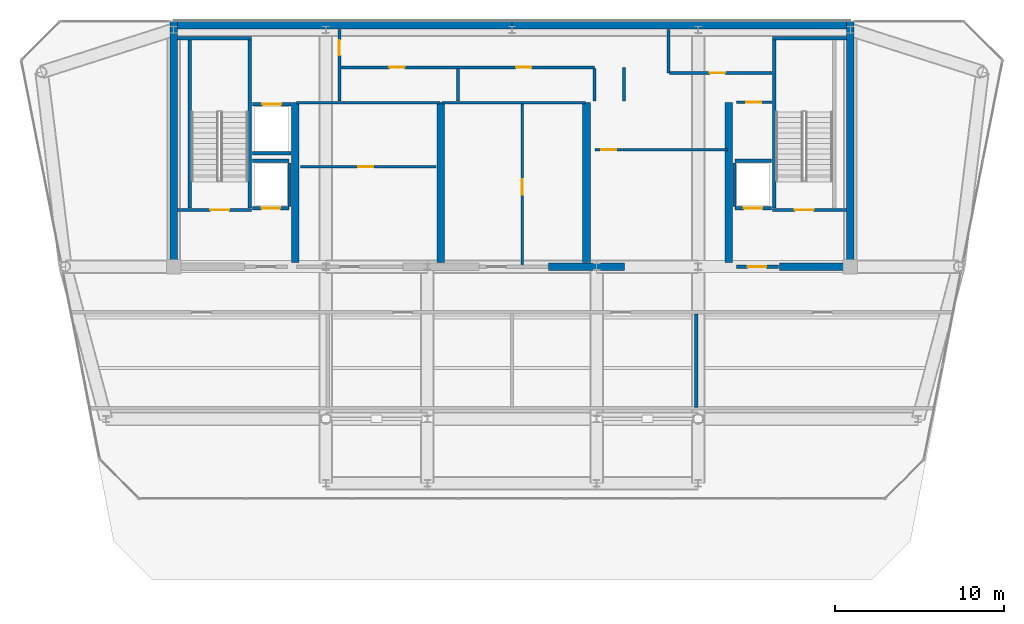
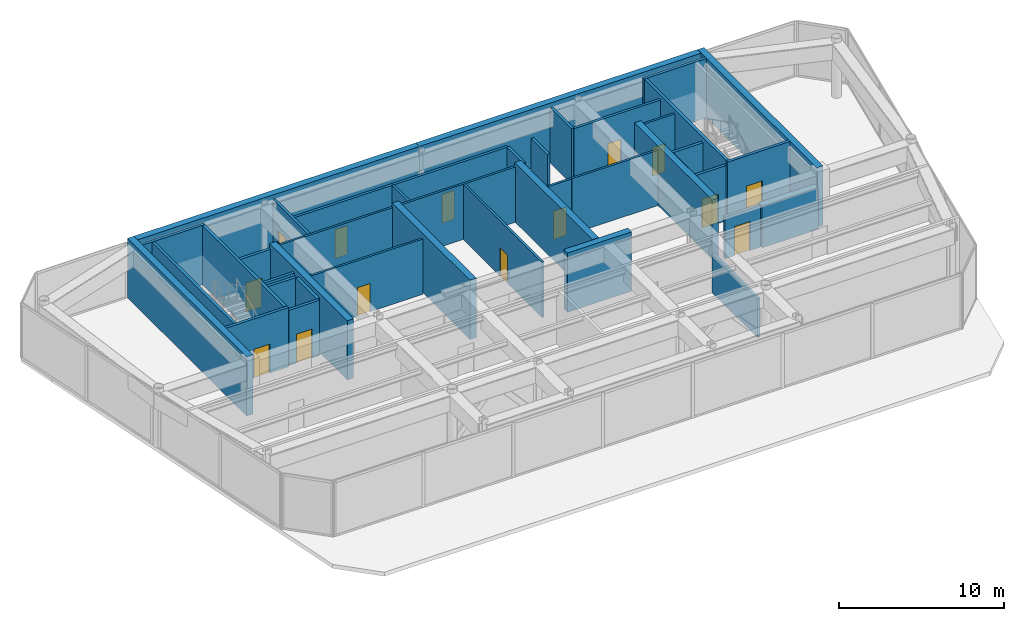
# One storey, part 8 of 12: 41 walls, 14 doors, 14 openings.
"""IFC4 building model written with IfcOpenShell, lengths in metres."""

from ifc_helpers import new_model, si_unit, direction, frame, frame_2d, origin, place, context, subcontext, project, spatial, rectangle, extrude, source, transform, mapped, material, layer, layer_set, type_object, element, fill, save


model = new_model("IFC4")

# Units and contexts
model_context = context("Model", 3, precision=1e-05, world=origin(), true_north=direction((0.0, 1.0)))
body_context = subcontext(model_context, "Body", "Model", "MODEL_VIEW")
ifc_project = project(units=[si_unit("LENGTHUNIT", "METRE"), si_unit("AREAUNIT", "SQUARE_METRE"), si_unit("VOLUMEUNIT", "CUBIC_METRE"), si_unit("PLANEANGLEUNIT", "RADIAN"), si_unit("MASSUNIT", "GRAM", prefix="KILO")], contexts=[model_context])

# Site, building, storey
site_placement = place(None, origin())
site = spatial("IfcSite", under=ifc_project, at=site_placement, CompositionType="ELEMENT")
building_placement = place(site_placement, origin())
building = spatial("IfcBuilding", under=site, at=building_placement, Name="Vaeldorn Concourse Tower", CompositionType="ELEMENT")
storey_placement = place(building_placement, frame((0.0, 0.0, 308.39990234375)))
storey = spatial("IfcBuildingStorey", under=building, at=storey_placement, Name="L79", CompositionType="ELEMENT", Elevation=308.39990234375)

# Walls
ifc_material_1 = material(Name="Concrete C50/60", Category="concrete")
ifc_layer_1 = layer(ifc_material_1, 0.449951171875)
ifc_layer_set_1 = layer_set([ifc_layer_1], Name="Concrete C50/60")
wall_type_1 = type_object("IfcWallType", Name="WL-CORE-450", PredefinedType="SHEAR", material=ifc_layer_set_1)
for number, where, z_axis, x_axis, name in (
    (1, (14.22900390625, 50.77490234375, 0.0), (0.0, 0.0, 1.0), (1.0, 0.0, 0.0), "Rear Core Shear Wall L79 N1"),
    (2, (34.001953125, 50.77490234375, 0.0), (0.0, 0.0, 1.0), (1.0, 0.0, 0.0), "Rear Core Shear Wall L79 N2"),
):
    element("IfcWall", number, at=place(storey_placement, frame(where, z_axis=z_axis, x_axis=x_axis)), inside=storey, type_object=wall_type_1, Name=name, PredefinedType="SHEAR", context=body_context, shape_type="SweptSolid", body=[
        extrude(rectangle(XDim=19.76904296875, YDim=0.449951171875, at=frame_2d((9.884521484375, 0.0))), origin(), (0.0, 0.0, 1.0), 4.400146484375),
    ])
for number, where, z_axis, x_axis, name in (
    (3, (14.0, 36.5, 0.0), (0.0, 0.0, 1.0), (0.0, 1.0, 0.0), "Rear Core Shear Wall L79 W1"),
    (4, (54.0, 36.5, 0.0), (0.0, 0.0, 1.0), (0.0, 1.0, 0.0), "Rear Core Shear Wall L79 E1"),
):
    element("IfcWall", number, at=place(storey_placement, frame(where, z_axis=z_axis, x_axis=x_axis)), inside=storey, type_object=wall_type_1, Name=name, PredefinedType="SHEAR", context=body_context, shape_type="SweptSolid", body=[
        extrude(rectangle(XDim=14.5, YDim=0.449951171875, at=frame_2d((7.25, 0.0))), origin(), (0.0, 0.0, 1.0), 4.400146484375),
    ])
wall_1_placement = place(storey_placement, frame((36.14990234375, 36.5, 0.0), z_axis=(0.0, 0.0, 1.0), x_axis=(1.0, 0.0, 0.0)))
element("IfcWall", 5, at=wall_1_placement, inside=storey, type_object=wall_type_1, Name="Rear Core Shear Wall L79 S3", PredefinedType="SHEAR", context=body_context, shape_type="SweptSolid", body=[
    extrude(rectangle(XDim=4.5, YDim=0.449951171875, at=frame_2d((2.25, 0.0))), origin(), (0.0, 0.0, 1.0), 4.400146484375),
])
wall_2_placement = place(storey_placement, frame((49.800048828125, 36.5, 0.0), z_axis=(0.0, 0.0, 1.0), x_axis=(1.0, 0.0, 0.0)))
element("IfcWall", 6, at=wall_2_placement, inside=storey, type_object=wall_type_1, Name="Rear Core Shear Wall L79 S4", PredefinedType="SHEAR", context=body_context, shape_type="SweptSolid", body=[
    extrude(rectangle(XDim=3.954833984375, YDim=0.449951171875, at=frame_2d((1.9775390625, 0.0))), origin(), (0.0, 0.0, 1.0), 3.10009765625),
])
for number, where, z_axis, x_axis, name in (
    (7, (21.199951171875, 36.7451171875, 0.0), (0.0, 0.0, 1.0), (0.0, 1.0, 0.0), "Rear Core Shear Wall L79 M1"),
    (8, (29.800048828125, 36.7451171875, 0.0), (0.0, 0.0, 1.0), (0.0, 1.0, 0.0), "Rear Core Shear Wall L79 M2"),
    (9, (38.39990234375, 36.7451171875, 0.0), (0.0, 0.0, 1.0), (0.0, 1.0, 0.0), "Rear Core Shear Wall L79 M3"),
    (10, (46.800048828125, 36.7451171875, 0.0), (0.0, 0.0, 1.0), (0.0, 1.0, 0.0), "Rear Core Shear Wall L79 M4"),
):
    element("IfcWall", number, at=place(storey_placement, frame(where, z_axis=z_axis, x_axis=x_axis)), inside=storey, type_object=wall_type_1, Name=name, PredefinedType="SHEAR", context=body_context, shape_type="SweptSolid", body=[
        extrude(rectangle(XDim=9.454833984375, YDim=0.449951171875, at=frame_2d((4.7275390625, 0.0))), origin(), (0.0, 0.0, 1.0), 4.400146484375),
    ])
ifc_material_2 = material(Name="Gypsum Board Partition", Category="gypsum")
ifc_layer_2 = layer(ifc_material_2, 0.14990234375)
ifc_layer_set_2 = layer_set([ifc_layer_2], Name="Gypsum Board Partition")
wall_type_2 = type_object("IfcWallType", Name="WL-PART-150", PredefinedType="PARTITIONING", material=ifc_layer_set_2)
wall_3_placement = place(storey_placement, frame((21.25, 46.199951171875, 0.0), z_axis=(0.0, 0.0, 1.0), x_axis=(1.0, 0.0, 0.0)))
element("IfcWall", 11, at=wall_3_placement, inside=storey, type_object=wall_type_2, Name="Interior Wall CW-L79-R1N", PredefinedType="PARTITIONING", context=body_context, shape_type="SweptSolid", body=[
    extrude(rectangle(XDim=8.5, YDim=0.14990234375, at=frame_2d((4.25, 0.0))), origin(), (0.0, 0.0, 1.0), 4.10009765625),
])

# Wall, opening, door
wall_4_placement = place(storey_placement, frame((21.5, 42.39990234375, 0.0), z_axis=(0.0, 0.0, 1.0), x_axis=(1.0, 0.0, 0.0)))
wall_4 = element("IfcWall", 12, at=wall_4_placement, inside=storey, type_object=wall_type_2, Name="Interior Wall CW-L79-R1M", PredefinedType="PARTITIONING", context=body_context, shape_type="SweptSolid", body=[
    extrude(rectangle(XDim=8.0, YDim=0.14990234375, at=frame_2d((4.0, 0.0))), origin(), (0.0, 0.0, 1.0), 4.10009765625),
])
opening_1_placement = place(wall_4_placement, frame((3.39990234375, 0.0, 0.0)))
opening_1 = element("IfcOpeningElement", 13, at=opening_1_placement, cuts=wall_4, Name="Opening D-02", PredefinedType="OPENING", context=body_context, shape_type="SweptSolid", body=[
    extrude(rectangle(XDim=0.89990234375, YDim=2.10009765625, at=frame_2d((0.449951171875, 1.050048828125))), frame((0.0, 0.0849609375, 0.0), z_axis=(0.0, -1.0, 0.0), x_axis=(1.0, 0.0, 0.0)), (0.0, 0.0, 1.0), 0.169921875),
])
ifc_material_3 = material(Name="Fire-Rated Timber Leaf", Category="wood")
door_type_1 = type_object("IfcDoorType", Name="DR-FD30-900", OperationType="NOTDEFINED", PredefinedType="DOOR", material=ifc_material_3)
shared_shape_1 = source(origin(), body_context, "Body", "SweptSolid", [
    extrude(rectangle(XDim=0.89990234375, YDim=2.10009765625, at=frame_2d((0.449951171875, 1.050048828125))), frame((0.0, 0.02490234375, 0.0), z_axis=(0.0, -1.0, 0.0), x_axis=(1.0, 0.0, 0.0)), (0.0, 0.0, 1.0), 0.050048828125),
])
door_1_placement = place(opening_1_placement, origin())
door_1 = element("IfcDoor", 14, at=door_1_placement, inside=storey, type_object=door_type_1, Name="Interior Door DR-L79-R1M", OperationType="SINGLE_SWING_RIGHT", OverallHeight=2.10009765625, OverallWidth=0.89990234375, PredefinedType="DOOR", context=body_context, shape_type="MappedRepresentation", body=[
    mapped(shared_shape_1, transform((0.0, 0.0, 0.0), scale=1.0)),
])
fill(opening_1, door_1)

# Wall
wall_5_placement = place(storey_placement, frame((29.85009765625, 46.199951171875, 0.0), z_axis=(0.0, 0.0, 1.0), x_axis=(1.0, 0.0, 0.0)))
element("IfcWall", 15, at=wall_5_placement, inside=storey, type_object=wall_type_2, Name="Interior Wall CW-L79-R2N", PredefinedType="PARTITIONING", context=body_context, shape_type="SweptSolid", body=[
    extrude(rectangle(XDim=8.5, YDim=0.14990234375, at=frame_2d((4.25, 0.0))), origin(), (0.0, 0.0, 1.0), 4.10009765625),
])

# Wall, opening, door
wall_6_placement = place(storey_placement, frame((34.60009765625, 36.56005859375, 0.0), z_axis=(0.0, 0.0, 1.0), x_axis=(0.0, 1.0, 0.0)))
wall_6 = element("IfcWall", 16, at=wall_6_placement, inside=storey, type_object=wall_type_2, Name="Interior Wall CW-L79-R2M", PredefinedType="PARTITIONING", context=body_context, shape_type="SweptSolid", body=[
    extrude(rectangle(XDim=9.579833984375, YDim=0.14990234375, at=frame_2d((4.7900390625, 0.0))), origin(), (0.0, 0.0, 1.0), 4.10009765625),
])
opening_2_placement = place(wall_6_placement, frame((4.199951171875, 0.0, 0.0)))
opening_2 = element("IfcOpeningElement", 17, at=opening_2_placement, cuts=wall_6, Name="Opening D-02", PredefinedType="OPENING", context=body_context, shape_type="SweptSolid", body=[
    extrude(rectangle(XDim=0.89990234375, YDim=2.10009765625, at=frame_2d((0.449951171875, 1.050048828125))), frame((0.0, 0.0849609375, 0.0), z_axis=(0.0, -1.0, 0.0), x_axis=(1.0, 0.0, 0.0)), (0.0, 0.0, 1.0), 0.169921875),
])
door_2_placement = place(opening_2_placement, origin())
door_2 = element("IfcDoor", 18, at=door_2_placement, inside=storey, type_object=door_type_1, Name="Interior Door DR-L79-R2E", OperationType="SINGLE_SWING_RIGHT", OverallHeight=2.10009765625, OverallWidth=0.89990234375, PredefinedType="DOOR", context=body_context, shape_type="MappedRepresentation", body=[
    mapped(shared_shape_1, transform((0.0, 0.0, 0.0), scale=1.0)),
])
fill(opening_2, door_2)

# Wall
wall_7_placement = place(storey_placement, frame((40.550048828125, 43.39990234375, 0.0), z_axis=(0.0, 0.0, 1.0), x_axis=(1.0, 0.0, 0.0)))
element("IfcWall", 19, at=wall_7_placement, inside=storey, type_object=wall_type_2, Name="Interior Wall CW-L79-B3N", PredefinedType="PARTITIONING", context=body_context, shape_type="SweptSolid", body=[
    extrude(rectangle(XDim=6.199951171875, YDim=0.14990234375, at=frame_2d((3.10009765625, 0.0))), origin(), (0.0, 0.0, 1.0), 4.10009765625),
])

# Wall, opening, door
wall_8_placement = place(storey_placement, frame((47.280029296875, 46.219970703125, 0.0), z_axis=(0.0, 0.0, 1.0), x_axis=(1.0, 0.0, 0.0)))
wall_8 = element("IfcWall", 20, at=wall_8_placement, inside=storey, type_object=wall_type_2, Name="Interior Wall CW-L79-CRSE-N", PredefinedType="PARTITIONING", context=body_context, shape_type="SweptSolid", body=[
    extrude(rectangle(XDim=2.099853515625, YDim=0.14990234375, at=frame_2d((1.0498046875, 0.0))), origin(), (0.0, 0.0, 1.0), 4.10009765625),
])
opening_3_placement = place(wall_8_placement, frame((0.550048828125, 0.0, 0.0)))
opening_3 = element("IfcOpeningElement", 21, at=opening_3_placement, cuts=wall_8, Name="Opening D-02", PredefinedType="OPENING", context=body_context, shape_type="SweptSolid", body=[
    extrude(rectangle(XDim=0.89990234375, YDim=2.10009765625, at=frame_2d((0.449951171875, 1.050048828125))), frame((0.0, 0.0849609375, 0.0), z_axis=(0.0, -1.0, 0.0), x_axis=(1.0, 0.0, 0.0)), (0.0, 0.0, 1.0), 0.169921875),
])
door_3_placement = place(opening_3_placement, origin())
door_3 = element("IfcDoor", 22, at=door_3_placement, inside=storey, type_object=door_type_1, Name="Interior Door DR-L79-CRSE", OperationType="SINGLE_SWING_RIGHT", OverallHeight=2.10009765625, OverallWidth=0.89990234375, PredefinedType="DOOR", context=body_context, shape_type="MappedRepresentation", body=[
    mapped(shared_shape_1, transform((0.0, 0.0, 0.0), scale=1.0)),
])
fill(opening_3, door_3)

wall_9_placement = place(storey_placement, frame((38.919921875, 43.39990234375, 0.0), z_axis=(0.0, 0.0, 1.0), x_axis=(1.0, 0.0, 0.0)))
wall_9 = element("IfcWall", 23, at=wall_9_placement, inside=storey, type_object=wall_type_2, Name="Interior Wall CW-L79-CCLINK", PredefinedType="PARTITIONING", context=body_context, shape_type="SweptSolid", body=[
    extrude(rectangle(XDim=1.60009765625, YDim=0.14990234375, at=frame_2d((0.800048828125, 0.0))), origin(), (0.0, 0.0, 1.0), 4.10009765625),
])
opening_4_placement = place(wall_9_placement, frame((0.35009765625, 0.0, 0.0)))
opening_4 = element("IfcOpeningElement", 24, at=opening_4_placement, cuts=wall_9, Name="Opening D-02", PredefinedType="OPENING", context=body_context, shape_type="SweptSolid", body=[
    extrude(rectangle(XDim=0.89990234375, YDim=2.10009765625, at=frame_2d((0.449951171875, 1.050048828125))), frame((0.0, 0.0849609375, 0.0), z_axis=(0.0, -1.0, 0.0), x_axis=(1.0, 0.0, 0.0)), (0.0, 0.0, 1.0), 0.169921875),
])
door_4_placement = place(opening_4_placement, origin())
door_4 = element("IfcDoor", 25, at=door_4_placement, inside=storey, type_object=door_type_1, Name="Interior Door DR-L79-CCLINK", OperationType="SINGLE_SWING_LEFT", OverallHeight=2.10009765625, OverallWidth=0.89990234375, PredefinedType="DOOR", context=body_context, shape_type="MappedRepresentation", body=[
    mapped(shared_shape_1, transform((0.0, 0.0, 0.0), scale=1.0)),
])
fill(opening_4, door_4)

# Wall, openings, doors
ifc_layer_3 = layer(ifc_material_2, 0.179931640625)
ifc_layer_set_3 = layer_set([ifc_layer_3], Name="Gypsum Board Partition")
wall_type_3 = type_object("IfcWallType", Name="WL-PLUMB-180", PredefinedType="PLUMBINGWALL", material=ifc_layer_set_3)
wall_10_placement = place(storey_placement, frame((23.85009765625, 48.280029296875, 0.0), z_axis=(0.0, 0.0, 1.0), x_axis=(1.0, 0.0, 0.0)))
wall_10 = element("IfcWall", 26, at=wall_10_placement, inside=storey, type_object=wall_type_3, Name="Interior Wall CW-L79-NS2W", PredefinedType="PLUMBINGWALL", context=body_context, shape_type="SweptSolid", body=[
    extrude(rectangle(XDim=15.02978515625, YDim=0.179931640625, at=frame_2d((7.514892578125, 0.0))), origin(), (0.0, 0.0, 1.0), 4.10009765625),
])
opening_5_placement = place(wall_10_placement, frame((2.89990234375, 0.0, 0.0)))
opening_5 = element("IfcOpeningElement", 27, at=opening_5_placement, cuts=wall_10, Name="Opening D-03", PredefinedType="OPENING", context=body_context, shape_type="SweptSolid", body=[
    extrude(rectangle(XDim=0.89990234375, YDim=2.14990234375, at=frame_2d((0.449951171875, 1.074951171875))), frame((0.0, 0.10009765625, 0.0), z_axis=(0.0, -1.0, 0.0), x_axis=(1.0, 0.0, 0.0)), (0.0, 0.0, 1.0), 0.199951171875),
])
opening_6_placement = place(wall_10_placement, frame((10.39990234375, 0.0, 0.0)))
opening_6 = element("IfcOpeningElement", 28, at=opening_6_placement, cuts=wall_10, Name="Opening D-03", PredefinedType="OPENING", context=body_context, shape_type="SweptSolid", body=[
    extrude(rectangle(XDim=0.89990234375, YDim=2.14990234375, at=frame_2d((0.449951171875, 1.074951171875))), frame((0.0, 0.10009765625, 0.0), z_axis=(0.0, -1.0, 0.0), x_axis=(1.0, 0.0, 0.0)), (0.0, 0.0, 1.0), 0.199951171875),
])
ifc_material_4 = material(Name="Acoustic Bronze-Framed Glass Door", Category="glass")
door_type_2 = type_object("IfcDoorType", Name="DR-INT-900", OperationType="NOTDEFINED", PredefinedType="DOOR", material=ifc_material_4)
shared_shape_2 = source(origin(), body_context, "Body", "SweptSolid", [
    extrude(rectangle(XDim=0.89990234375, YDim=2.14990234375, at=frame_2d((0.449951171875, 1.074951171875))), frame((0.0, 0.02490234375, 0.0), z_axis=(0.0, -1.0, 0.0), x_axis=(1.0, 0.0, 0.0)), (0.0, 0.0, 1.0), 0.050048828125),
])
door_5_placement = place(opening_5_placement, origin())
door_5 = element("IfcDoor", 29, at=door_5_placement, inside=storey, type_object=door_type_2, Name="Interior Door DR-L79-CS2", OperationType="SINGLE_SWING_RIGHT", OverallHeight=2.14990234375, OverallWidth=0.89990234375, PredefinedType="DOOR", context=body_context, shape_type="MappedRepresentation", body=[
    mapped(shared_shape_2, transform((0.0, 0.0, 0.0), scale=1.0)),
])
fill(opening_5, door_5)
door_6_placement = place(opening_6_placement, origin())
door_6 = element("IfcDoor", 30, at=door_6_placement, inside=storey, type_object=door_type_2, Name="Interior Door DR-L79-CS3", OperationType="SINGLE_SWING_LEFT", OverallHeight=2.14990234375, OverallWidth=0.89990234375, PredefinedType="DOOR", context=body_context, shape_type="MappedRepresentation", body=[
    mapped(shared_shape_2, transform((0.0, 0.0, 0.0), scale=1.0)),
])
fill(opening_6, door_6)

# Wall, opening, door
wall_11_placement = place(storey_placement, frame((23.800048828125, 46.280029296875, 0.0), z_axis=(0.0, 0.0, 1.0), x_axis=(0.0, 1.0, 0.0)))
wall_11 = element("IfcWall", 31, at=wall_11_placement, inside=storey, type_object=wall_type_3, Name="Interior Wall CW-L79-SDIV1", PredefinedType="PLUMBINGWALL", context=body_context, shape_type="SweptSolid", body=[
    extrude(rectangle(XDim=4.25, YDim=0.179931640625, at=frame_2d((2.125, 0.0))), origin(), (0.0, 0.0, 1.0), 4.10009765625),
])
opening_7_placement = place(wall_11_placement, frame((2.7099609375, 0.0, 0.0)))
opening_7 = element("IfcOpeningElement", 32, at=opening_7_placement, cuts=wall_11, Name="Opening D-03", PredefinedType="OPENING", context=body_context, shape_type="SweptSolid", body=[
    extrude(rectangle(XDim=0.89990234375, YDim=2.14990234375, at=frame_2d((0.449951171875, 1.074951171875))), frame((0.0, 0.10009765625, 0.0), z_axis=(0.0, -1.0, 0.0), x_axis=(1.0, 0.0, 0.0)), (0.0, 0.0, 1.0), 0.199951171875),
])
door_7_placement = place(opening_7_placement, origin())
door_7 = element("IfcDoor", 33, at=door_7_placement, inside=storey, type_object=door_type_2, Name="Interior Door DR-L79-CS1", OperationType="SINGLE_SWING_LEFT", OverallHeight=2.14990234375, OverallWidth=0.89990234375, PredefinedType="DOOR", context=body_context, shape_type="MappedRepresentation", body=[
    mapped(shared_shape_2, transform((0.0, 0.0, 0.0), scale=1.0)),
])
fill(opening_7, door_7)

# Walls
for number, where, z_axis, x_axis, name in (
    (34, (30.800048828125, 46.280029296875, 0.0), (0.0, 0.0, 1.0), (0.0, 1.0, 0.0), "Interior Wall CW-L79-SDIV2"),
    (35, (38.8798828125, 46.280029296875, 0.0), (0.0, 0.0, 1.0), (0.0, 1.0, 0.0), "Interior Wall CW-L79-SDIV4"),
):
    element("IfcWall", number, at=place(storey_placement, frame(where, z_axis=z_axis, x_axis=x_axis)), inside=storey, type_object=wall_type_3, Name=name, PredefinedType="PLUMBINGWALL", context=body_context, shape_type="SweptSolid", body=[
        extrude(rectangle(XDim=1.93994140625, YDim=0.179931640625, at=frame_2d((0.969970703125, 0.0))), origin(), (0.0, 0.0, 1.0), 4.10009765625),
    ])
wall_12_placement = place(storey_placement, frame((40.6201171875, 46.280029296875, 0.0), z_axis=(0.0, 0.0, 1.0), x_axis=(0.0, 1.0, 0.0)))
element("IfcWall", 36, at=wall_12_placement, inside=storey, type_object=wall_type_3, Name="Interior Wall CW-L79-SDIV5", PredefinedType="PLUMBINGWALL", context=body_context, shape_type="SweptSolid", body=[
    extrude(rectangle(XDim=2.0, YDim=0.179931640625, at=frame_2d((1.0, 0.0))), origin(), (0.0, 0.0, 1.0), 4.10009765625),
])
wall_13_placement = place(storey_placement, frame((43.25, 47.949951171875, 0.0), z_axis=(0.0, 0.0, 1.0), x_axis=(0.0, 1.0, 0.0)))
element("IfcWall", 37, at=wall_13_placement, inside=storey, type_object=wall_type_3, Name="Interior Wall CW-L79-SDIV6", PredefinedType="PLUMBINGWALL", context=body_context, shape_type="SweptSolid", body=[
    extrude(rectangle(XDim=2.580078125, YDim=0.179931640625, at=frame_2d((1.2900390625, 0.0))), origin(), (0.0, 0.0, 1.0), 4.10009765625),
])

# Wall, opening, door
wall_14_placement = place(storey_placement, frame((43.300048828125, 47.949951171875, 0.0), z_axis=(0.0, 0.0, 1.0), x_axis=(1.0, 0.0, 0.0)))
wall_14 = element("IfcWall", 38, at=wall_14_placement, inside=storey, type_object=wall_type_3, Name="Interior Wall CW-L79-NS2EE", PredefinedType="PLUMBINGWALL", context=body_context, shape_type="SweptSolid", body=[
    extrude(rectangle(XDim=6.079833984375, YDim=0.179931640625, at=frame_2d((3.0400390625, 0.0))), origin(), (0.0, 0.0, 1.0), 4.10009765625),
])
opening_8_placement = place(wall_14_placement, frame((2.39990234375, 0.0, 0.0)))
opening_8 = element("IfcOpeningElement", 39, at=opening_8_placement, cuts=wall_14, Name="Opening D-03", PredefinedType="OPENING", context=body_context, shape_type="SweptSolid", body=[
    extrude(rectangle(XDim=0.89990234375, YDim=2.14990234375, at=frame_2d((0.449951171875, 1.074951171875))), frame((0.0, 0.10009765625, 0.0), z_axis=(0.0, -1.0, 0.0), x_axis=(1.0, 0.0, 0.0)), (0.0, 0.0, 1.0), 0.199951171875),
])
door_8_placement = place(opening_8_placement, origin())
door_8 = element("IfcDoor", 40, at=door_8_placement, inside=storey, type_object=door_type_2, Name="Interior Door DR-L79-CS5", OperationType="SINGLE_SWING_RIGHT", OverallHeight=2.14990234375, OverallWidth=0.89990234375, PredefinedType="DOOR", context=body_context, shape_type="MappedRepresentation", body=[
    mapped(shared_shape_2, transform((0.0, 0.0, 0.0), scale=1.0)),
])
fill(opening_8, door_8)

ifc_layer_4 = layer(ifc_material_1, 0.199951171875)
ifc_layer_set_4 = layer_set([ifc_layer_4], Name="Concrete C50/60")
wall_type_4 = type_object("IfcWallType", Name="WL-SHAFT-200", PredefinedType="SOLIDWALL", material=ifc_layer_set_4)
wall_15_placement = place(storey_placement, frame((14.22509765625, 39.85009765625, 0.0), z_axis=(0.0, 0.0, 1.0), x_axis=(1.0, 0.0, 0.0)))
wall_15 = element("IfcWall", 41, at=wall_15_placement, inside=storey, type_object=wall_type_4, Name="Stair Shaft Wall CW-L79-ST-1-S", PredefinedType="SOLIDWALL", context=body_context, shape_type="SweptSolid", body=[
    extrude(rectangle(XDim=4.375, YDim=0.199951171875, at=frame_2d((2.1875, 0.0))), origin(), (0.0, 0.0, 1.0), 4.400146484375),
])
opening_9_placement = place(wall_15_placement, frame((1.949951171875, 0.0, 0.0)))
opening_9 = element("IfcOpeningElement", 42, at=opening_9_placement, cuts=wall_15, Name="Opening D-01", PredefinedType="OPENING", context=body_context, shape_type="SweptSolid", body=[
    extrude(rectangle(XDim=1.10009765625, YDim=2.14990234375, at=frame_2d((0.550048828125, 1.074951171875))), frame((0.0, 0.10986328125, 0.0), z_axis=(0.0, -1.0, 0.0), x_axis=(1.0, 0.0, 0.0)), (0.0, 0.0, 1.0), 0.219970703125),
])
ifc_material_5 = material(Name="Fire-Rated Timber and Steel Leaf", Category="steel")
door_type_3 = type_object("IfcDoorType", Name="DR-FD60-1100", OperationType="NOTDEFINED", PredefinedType="DOOR", material=ifc_material_5)
shared_shape_3 = source(origin(), body_context, "Body", "SweptSolid", [
    extrude(rectangle(XDim=1.10009765625, YDim=2.14990234375, at=frame_2d((0.550048828125, 1.074951171875))), frame((0.0, 0.02490234375, 0.0), z_axis=(0.0, -1.0, 0.0), x_axis=(1.0, 0.0, 0.0)), (0.0, 0.0, 1.0), 0.050048828125),
])
door_9_placement = place(opening_9_placement, origin())
door_9 = element("IfcDoor", 43, at=door_9_placement, inside=storey, type_object=door_type_3, Name="Interior Door DR-L79-ST-1", OperationType="SINGLE_SWING_LEFT", OverallHeight=2.14990234375, OverallWidth=1.10009765625, PredefinedType="DOOR", context=body_context, shape_type="MappedRepresentation", body=[
    mapped(shared_shape_3, transform((0.0, 0.0, 0.0), scale=1.0)),
])
fill(opening_9, door_9)

# Walls
wall_16_placement = place(storey_placement, frame((14.22509765625, 50.0, 0.0), z_axis=(0.0, 0.0, 1.0), x_axis=(1.0, 0.0, 0.0)))
element("IfcWall", 44, at=wall_16_placement, inside=storey, type_object=wall_type_4, Name="Stair Shaft Wall CW-L79-ST-1-N", PredefinedType="SOLIDWALL", context=body_context, shape_type="SweptSolid", body=[
    extrude(rectangle(XDim=4.375, YDim=0.199951171875, at=frame_2d((2.1875, 0.0))), origin(), (0.0, 0.0, 1.0), 4.400146484375),
])
for number, where, z_axis, x_axis, name in (
    (45, (14.949951171875, 39.9599609375, 0.0), (0.0, 0.0, 1.0), (0.0, 1.0, 0.0), "Stair Shaft Wall CW-L79-ST-1-W"),
    (46, (18.5, 39.9599609375, 0.0), (0.0, 0.0, 1.0), (0.0, 1.0, 0.0), "Stair Shaft Wall CW-L79-ST-1-E"),
):
    element("IfcWall", number, at=place(storey_placement, frame(where, z_axis=z_axis, x_axis=x_axis)), inside=storey, type_object=wall_type_4, Name=name, PredefinedType="SOLIDWALL", context=body_context, shape_type="SweptSolid", body=[
        extrude(rectangle(XDim=9.929931640625, YDim=0.199951171875, at=frame_2d((4.96484375, 0.0))), origin(), (0.0, 0.0, 1.0), 4.400146484375),
    ])

# Wall, opening, door
wall_17_placement = place(storey_placement, frame((49.39990234375, 39.85009765625, 0.0), z_axis=(0.0, 0.0, 1.0), x_axis=(1.0, 0.0, 0.0)))
wall_17 = element("IfcWall", 47, at=wall_17_placement, inside=storey, type_object=wall_type_4, Name="Stair Shaft Wall CW-L79-ST-2-S", PredefinedType="SOLIDWALL", context=body_context, shape_type="SweptSolid", body=[
    extrude(rectangle(XDim=4.375, YDim=0.199951171875, at=frame_2d((2.1875, 0.0))), origin(), (0.0, 0.0, 1.0), 4.400146484375),
])
opening_10_placement = place(wall_17_placement, frame((1.324951171875, 0.0, 0.0)))
opening_10 = element("IfcOpeningElement", 48, at=opening_10_placement, cuts=wall_17, Name="Opening D-01", PredefinedType="OPENING", context=body_context, shape_type="SweptSolid", body=[
    extrude(rectangle(XDim=1.10009765625, YDim=2.14990234375, at=frame_2d((0.550048828125, 1.074951171875))), frame((0.0, 0.10986328125, 0.0), z_axis=(0.0, -1.0, 0.0), x_axis=(1.0, 0.0, 0.0)), (0.0, 0.0, 1.0), 0.219970703125),
])
door_10_placement = place(opening_10_placement, origin())
door_10 = element("IfcDoor", 49, at=door_10_placement, inside=storey, type_object=door_type_3, Name="Interior Door DR-L79-ST-2", OperationType="SINGLE_SWING_RIGHT", OverallHeight=2.14990234375, OverallWidth=1.10009765625, PredefinedType="DOOR", context=body_context, shape_type="MappedRepresentation", body=[
    mapped(shared_shape_3, transform((0.0, 0.0, 0.0), scale=1.0)),
])
fill(opening_10, door_10)

# Walls
wall_18_placement = place(storey_placement, frame((49.39990234375, 50.0, 0.0), z_axis=(0.0, 0.0, 1.0), x_axis=(1.0, 0.0, 0.0)))
element("IfcWall", 50, at=wall_18_placement, inside=storey, type_object=wall_type_4, Name="Stair Shaft Wall CW-L79-ST-2-N", PredefinedType="SOLIDWALL", context=body_context, shape_type="SweptSolid", body=[
    extrude(rectangle(XDim=4.375, YDim=0.199951171875, at=frame_2d((2.1875, 0.0))), origin(), (0.0, 0.0, 1.0), 4.400146484375),
])
wall_19_placement = place(storey_placement, frame((49.5, 39.9599609375, 0.0), z_axis=(0.0, 0.0, 1.0), x_axis=(0.0, 1.0, 0.0)))
element("IfcWall", 51, at=wall_19_placement, inside=storey, type_object=wall_type_4, Name="Stair Shaft Wall CW-L79-ST-2-W", PredefinedType="SOLIDWALL", context=body_context, shape_type="SweptSolid", body=[
    extrude(rectangle(XDim=9.929931640625, YDim=0.199951171875, at=frame_2d((4.96484375, 0.0))), origin(), (0.0, 0.0, 1.0), 4.400146484375),
])

# Wall, opening, door
wall_20_placement = place(storey_placement, frame((47.280029296875, 36.5, 0.0), z_axis=(0.0, 0.0, 1.0), x_axis=(1.0, 0.0, 0.0)))
wall_20 = element("IfcWall", 52, at=wall_20_placement, inside=storey, type_object=wall_type_4, Name="Interior Wall CW-L79-FF2S", PredefinedType="SOLIDWALL", context=body_context, shape_type="SweptSolid", body=[
    extrude(rectangle(XDim=2.469970703125, YDim=0.199951171875, at=frame_2d((1.23486328125, 0.0))), origin(), (0.0, 0.0, 1.0), 3.090087890625),
])
opening_11_placement = place(wall_20_placement, frame((0.64990234375, 0.0, 0.0)))
opening_11 = element("IfcOpeningElement", 53, at=opening_11_placement, cuts=wall_20, Name="Opening D-01", PredefinedType="OPENING", context=body_context, shape_type="SweptSolid", body=[
    extrude(rectangle(XDim=1.10009765625, YDim=2.14990234375, at=frame_2d((0.550048828125, 1.074951171875))), frame((0.0, 0.10986328125, 0.0), z_axis=(0.0, -1.0, 0.0), x_axis=(1.0, 0.0, 0.0)), (0.0, 0.0, 1.0), 0.219970703125),
])
door_11_placement = place(opening_11_placement, origin())
door_11 = element("IfcDoor", 54, at=door_11_placement, inside=storey, type_object=door_type_3, Name="Interior Door DR-L79-FF2W", OperationType="SINGLE_SWING_LEFT", OverallHeight=2.14990234375, OverallWidth=1.10009765625, PredefinedType="DOOR", context=body_context, shape_type="MappedRepresentation", body=[
    mapped(shared_shape_3, transform((0.0, 0.0, 0.0), scale=1.0)),
])
fill(opening_11, door_11)

wall_21_placement = place(storey_placement, frame((18.669921875, 46.10009765625, 0.0), z_axis=(0.0, 0.0, 1.0), x_axis=(1.0, 0.0, 0.0)))
wall_21 = element("IfcWall", 55, at=wall_21_placement, inside=storey, type_object=wall_type_4, Name="Interior Wall CW-L79-LF-LF-SV1", PredefinedType="SOLIDWALL", context=body_context, shape_type="SweptSolid", body=[
    extrude(rectangle(XDim=2.260009765625, YDim=0.199951171875, at=frame_2d((1.1298828125, 0.0))), origin(), (0.0, 0.0, 1.0), 4.10009765625),
])
opening_12_placement = place(wall_21_placement, frame((0.580078125, 0.0, 0.0)))
opening_12 = element("IfcOpeningElement", 56, at=opening_12_placement, cuts=wall_21, Name="Opening LD-1", PredefinedType="OPENING", context=body_context, shape_type="SweptSolid", body=[
    extrude(rectangle(XDim=1.10009765625, YDim=2.14990234375, at=frame_2d((0.550048828125, 1.074951171875))), frame((0.0, 0.10986328125, 0.0), z_axis=(0.0, -1.0, 0.0), x_axis=(1.0, 0.0, 0.0)), (0.0, 0.0, 1.0), 0.219970703125),
])
ifc_material_6 = material(Name="Anodised Bronze Aluminium", Category="aluminium")
door_type_4 = type_object("IfcDoorType", Name="DR-LIFT-SLIDE-1100", OperationType="DOUBLE_DOOR_SLIDING", PredefinedType="DOOR", material=ifc_material_6)
door_12_placement = place(opening_12_placement, origin())
door_12 = element("IfcDoor", 57, at=door_12_placement, inside=storey, type_object=door_type_4, Name="Lift Landing Door LD-L79-LF-SV1", OperationType="DOUBLE_DOOR_SLIDING", OverallHeight=2.14990234375, OverallWidth=1.10009765625, PredefinedType="DOOR", context=body_context, shape_type="MappedRepresentation", body=[
    mapped(shared_shape_3, transform((0.0, 0.0, 0.0), scale=1.0)),
])
fill(opening_12, door_12)

# Wall
wall_22_placement = place(storey_placement, frame((18.669921875, 43.199951171875, 0.0), z_axis=(0.0, 0.0, 1.0), x_axis=(1.0, 0.0, 0.0)))
element("IfcWall", 58, at=wall_22_placement, inside=storey, type_object=wall_type_4, Name="Interior Wall CW-L79-LFB-LF-SV1", PredefinedType="SOLIDWALL", context=body_context, shape_type="SweptSolid", body=[
    extrude(rectangle(XDim=2.260009765625, YDim=0.199951171875, at=frame_2d((1.1298828125, 0.0))), origin(), (0.0, 0.0, 1.0), 4.10009765625),
])

# Wall, opening, door
wall_23_placement = place(storey_placement, frame((18.669921875, 39.949951171875, 0.0), z_axis=(0.0, 0.0, 1.0), x_axis=(1.0, 0.0, 0.0)))
wall_23 = element("IfcWall", 59, at=wall_23_placement, inside=storey, type_object=wall_type_4, Name="Interior Wall CW-L79-LF-LF-FF1", PredefinedType="SOLIDWALL", context=body_context, shape_type="SweptSolid", body=[
    extrude(rectangle(XDim=2.16015625, YDim=0.199951171875, at=frame_2d((1.080078125, 0.0))), origin(), (0.0, 0.0, 1.0), 4.10009765625),
])
opening_13_placement = place(wall_23_placement, frame((0.530029296875, 0.0, 0.0)))
opening_13 = element("IfcOpeningElement", 60, at=opening_13_placement, cuts=wall_23, Name="Opening LD-1", PredefinedType="OPENING", context=body_context, shape_type="SweptSolid", body=[
    extrude(rectangle(XDim=1.10009765625, YDim=2.14990234375, at=frame_2d((0.550048828125, 1.074951171875))), frame((0.0, 0.10986328125, 0.0), z_axis=(0.0, -1.0, 0.0), x_axis=(1.0, 0.0, 0.0)), (0.0, 0.0, 1.0), 0.219970703125),
])
door_13_placement = place(opening_13_placement, origin())
door_13 = element("IfcDoor", 61, at=door_13_placement, inside=storey, type_object=door_type_4, Name="Lift Landing Door LD-L79-LF-FF1", OperationType="DOUBLE_DOOR_SLIDING", OverallHeight=2.14990234375, OverallWidth=1.10009765625, PredefinedType="DOOR", context=body_context, shape_type="MappedRepresentation", body=[
    mapped(shared_shape_3, transform((0.0, 0.0, 0.0), scale=1.0)),
])
fill(opening_13, door_13)

# Walls
wall_24_placement = place(storey_placement, frame((18.669921875, 42.75, 0.0), z_axis=(0.0, 0.0, 1.0), x_axis=(1.0, 0.0, 0.0)))
element("IfcWall", 62, at=wall_24_placement, inside=storey, type_object=wall_type_4, Name="Interior Wall CW-L79-LFB-LF-FF1", PredefinedType="SOLIDWALL", context=body_context, shape_type="SweptSolid", body=[
    extrude(rectangle(XDim=2.16015625, YDim=0.199951171875, at=frame_2d((1.080078125, 0.0))), origin(), (0.0, 0.0, 1.0), 4.10009765625),
])
wall_25_placement = place(storey_placement, frame((20.85009765625, 40.070068359375, 0.0), z_axis=(0.0, 0.0, 1.0), x_axis=(0.0, 1.0, 0.0)))
element("IfcWall", 63, at=wall_25_placement, inside=storey, type_object=wall_type_4, Name="Interior Wall CW-L79-LFE-LF-FF1", PredefinedType="SOLIDWALL", context=body_context, shape_type="SweptSolid", body=[
    extrude(rectangle(XDim=2.559814453125, YDim=0.199951171875, at=frame_2d((1.27978515625, 0.0))), origin(), (0.0, 0.0, 1.0), 4.10009765625),
])

# Wall, opening, door
wall_26_placement = place(storey_placement, frame((47.169921875, 39.949951171875, 0.0), z_axis=(0.0, 0.0, 1.0), x_axis=(1.0, 0.0, 0.0)))
wall_26 = element("IfcWall", 64, at=wall_26_placement, inside=storey, type_object=wall_type_4, Name="Interior Wall CW-L79-LF-LF-FF2", PredefinedType="SOLIDWALL", context=body_context, shape_type="SweptSolid", body=[
    extrude(rectangle(XDim=2.16015625, YDim=0.199951171875, at=frame_2d((1.080078125, 0.0))), origin(), (0.0, 0.0, 1.0), 4.10009765625),
])
opening_14_placement = place(wall_26_placement, frame((0.530029296875, 0.0, 0.0)))
opening_14 = element("IfcOpeningElement", 65, at=opening_14_placement, cuts=wall_26, Name="Opening LD-1", PredefinedType="OPENING", context=body_context, shape_type="SweptSolid", body=[
    extrude(rectangle(XDim=1.10009765625, YDim=2.14990234375, at=frame_2d((0.550048828125, 1.074951171875))), frame((0.0, 0.10986328125, 0.0), z_axis=(0.0, -1.0, 0.0), x_axis=(1.0, 0.0, 0.0)), (0.0, 0.0, 1.0), 0.219970703125),
])
door_14_placement = place(opening_14_placement, origin())
door_14 = element("IfcDoor", 66, at=door_14_placement, inside=storey, type_object=door_type_4, Name="Lift Landing Door LD-L79-LF-FF2", OperationType="DOUBLE_DOOR_SLIDING", OverallHeight=2.14990234375, OverallWidth=1.10009765625, PredefinedType="DOOR", context=body_context, shape_type="MappedRepresentation", body=[
    mapped(shared_shape_3, transform((0.0, 0.0, 0.0), scale=1.0)),
])
fill(opening_14, door_14)

# Walls
wall_27_placement = place(storey_placement, frame((47.169921875, 42.75, 0.0), z_axis=(0.0, 0.0, 1.0), x_axis=(1.0, 0.0, 0.0)))
element("IfcWall", 67, at=wall_27_placement, inside=storey, type_object=wall_type_4, Name="Interior Wall CW-L79-LFB-LF-FF2", PredefinedType="SOLIDWALL", context=body_context, shape_type="SweptSolid", body=[
    extrude(rectangle(XDim=2.16015625, YDim=0.199951171875, at=frame_2d((1.080078125, 0.0))), origin(), (0.0, 0.0, 1.0), 4.10009765625),
])
wall_28_placement = place(storey_placement, frame((47.14990234375, 40.070068359375, 0.0), z_axis=(0.0, 0.0, 1.0), x_axis=(0.0, 1.0, 0.0)))
element("IfcWall", 68, at=wall_28_placement, inside=storey, type_object=wall_type_4, Name="Interior Wall CW-L79-LFW-LF-FF2", PredefinedType="SOLIDWALL", context=body_context, shape_type="SweptSolid", body=[
    extrude(rectangle(XDim=2.559814453125, YDim=0.199951171875, at=frame_2d((1.27978515625, 0.0))), origin(), (0.0, 0.0, 1.0), 4.10009765625),
])
wall_29_placement = place(storey_placement, frame((44.89990234375, 28.179931640625, 0.0), z_axis=(0.0, 0.0, 1.0), x_axis=(0.0, 1.0, 0.0)))
element("IfcWall", 69, at=wall_29_placement, inside=storey, type_object=wall_type_4, Name="Interior Wall PW-L79-PD3", PredefinedType="SOLIDWALL", context=body_context, shape_type="SweptSolid", body=[
    extrude(rectangle(XDim=5.52001953125, YDim=0.199951171875, at=frame_2d((2.760009765625, 0.0))), origin(), (0.0, 0.0, 1.0), 2.89013671875),
])

save(model, "model.ifc")
